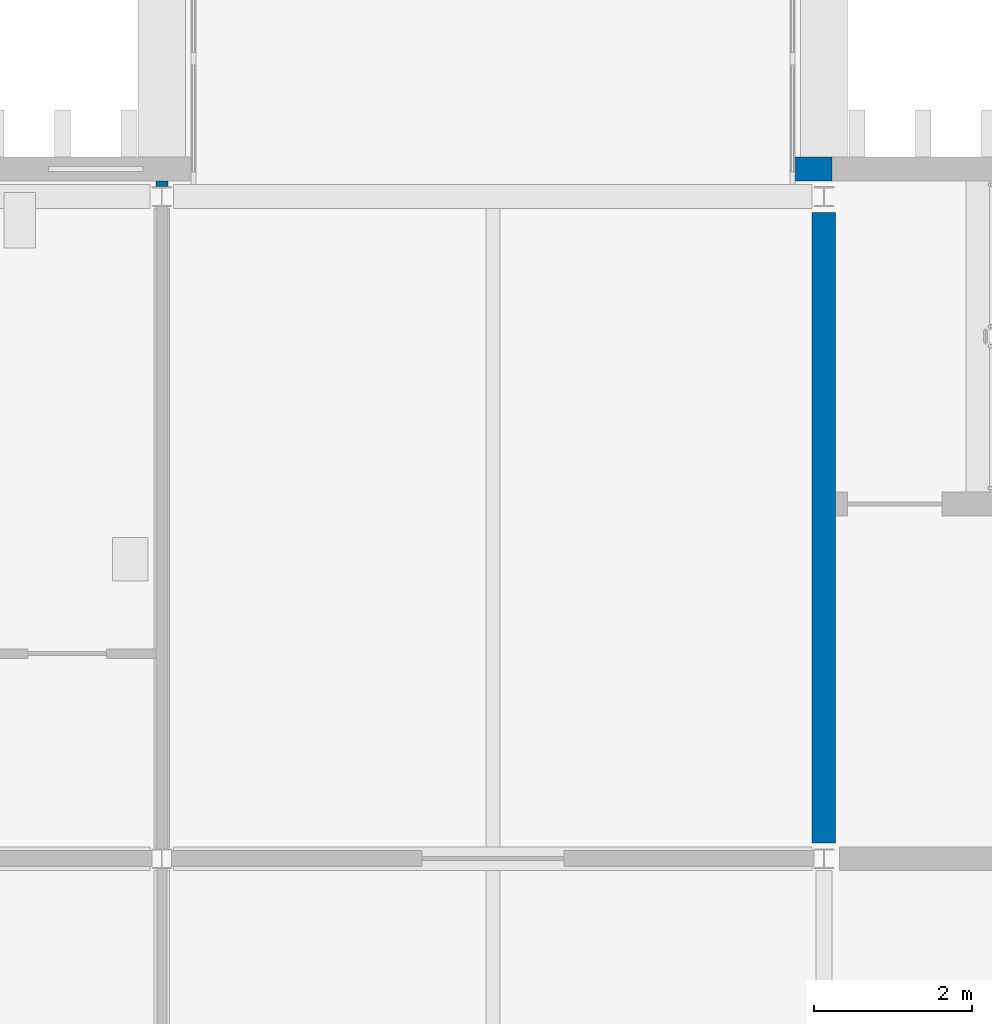
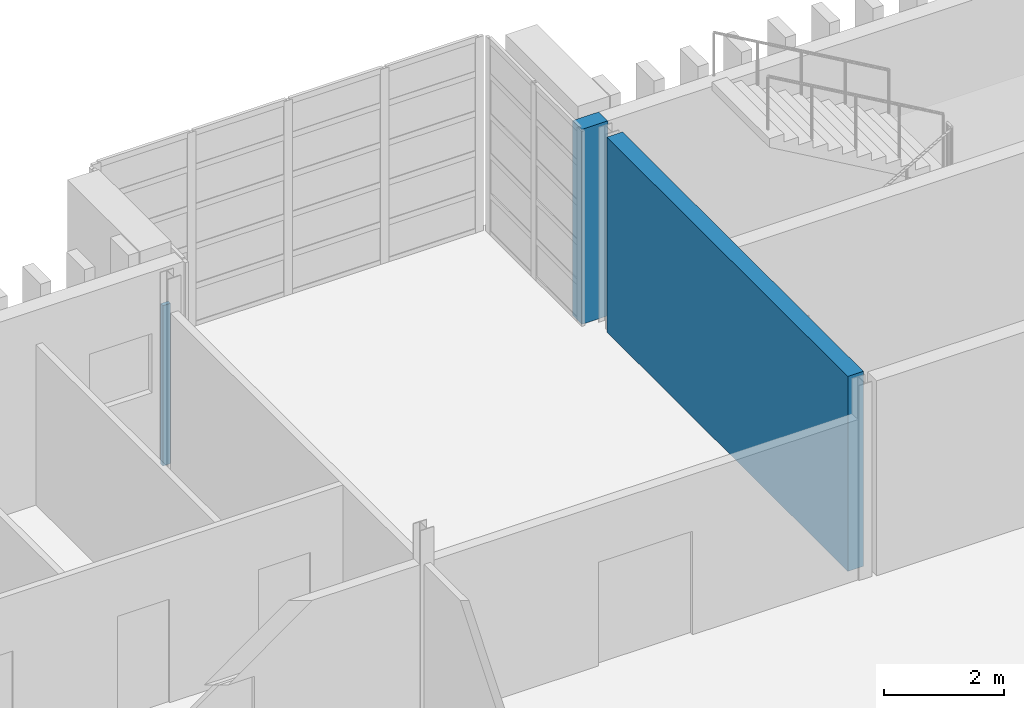
# One storey, part 61 of 88: 3 walls.
"""IFC4 building model written with IfcOpenShell, lengths in metres."""

from ifc_helpers import new_model, si_unit, direction, frame, frame_2d, origin, place, context, subcontext, project, spatial, rectangle, extrude, material, layer, layer_set, type_object, element, save


model = new_model("IFC4")

# Units and contexts
model_context = context("Model", 3, precision=1e-05, world=origin(), true_north=direction((0.0, 1.0)))
body_context = subcontext(model_context, "Body", "Model", "MODEL_VIEW")
ifc_project = project(units=[si_unit("LENGTHUNIT", "METRE"), si_unit("AREAUNIT", "SQUARE_METRE"), si_unit("VOLUMEUNIT", "CUBIC_METRE"), si_unit("PLANEANGLEUNIT", "RADIAN"), si_unit("MASSUNIT", "GRAM", prefix="KILO")], contexts=[model_context])

# Site, building, storey
site_placement = place(None, origin())
site = spatial("IfcSite", under=ifc_project, at=site_placement, CompositionType="ELEMENT")
building_placement = place(site_placement, origin())
building = spatial("IfcBuilding", under=site, at=building_placement, Name="Cresset Court Congress Hotel", CompositionType="ELEMENT")
storey_placement = place(building_placement, frame((0.0, 0.0, 14.39990234375)))
storey = spatial("IfcBuildingStorey", under=building, at=storey_placement, Name="L03", CompositionType="ELEMENT", Elevation=14.39990234375)

# Walls
ifc_material_1 = material(Name="Concrete C50", Category="concrete")
ifc_layer_1 = layer(ifc_material_1, 0.300048828125)
ifc_layer_set_1 = layer_set([ifc_layer_1], Name="Core wall 300 Concrete C50")
wall_type_1 = type_object("IfcWallType", Name="Core wall 300 Concrete C50", PredefinedType="SHEAR", material=ifc_layer_set_1)
wall_1_placement = place(storey_placement, frame((134.39990234375, 17.0, 0.0), z_axis=(0.0, 0.0, 1.0), x_axis=(0.0, 1.0, 0.0)))
element("IfcWall", 1, at=wall_1_placement, inside=storey, type_object=wall_type_1, Name="Core wall ST-B5", PredefinedType="SHEAR", context=body_context, shape_type="SweptSolid", body=[
    extrude(rectangle(XDim=8.0, YDim=0.300048828125, at=frame_2d((4.0, 0.0))), origin(), (0.0, 0.0, 1.0), 3.9501953125),
])
ifc_material_2 = material(Name="Concrete C40", Category="concrete")
ifc_layer_2 = layer(ifc_material_2, 0.300048828125)
ifc_layer_set_2 = layer_set([ifc_layer_2], Name="External wall 300 Concrete C40")
wall_type_2 = type_object("IfcWallType", Name="External wall 300 Concrete C40", PredefinedType="SOLIDWALL", material=ifc_layer_set_2)
wall_2_placement = place(storey_placement, frame((134.0, 25.550048828125, 0.0), z_axis=(0.0, 0.0, 1.0), x_axis=(1.0, 0.0, 0.0)))
element("IfcWall", 2, at=wall_2_placement, inside=storey, type_object=wall_type_2, Name="External wall", PredefinedType="SOLIDWALL", context=body_context, shape_type="SweptSolid", body=[
    extrude(rectangle(XDim=0.5, YDim=0.300048828125, at=frame_2d((0.25, 0.0))), origin(), (0.0, 0.0, 1.0), 3.9501953125),
])
ifc_material_3 = material(Name="Gypsum board on steel studs", Category="steel")
ifc_layer_3 = layer(ifc_material_3, 0.14990234375)
ifc_layer_set_3 = layer_set([ifc_layer_3], Name="Partition 150")
wall_type_3 = type_object("IfcWallType", Name="Partition 150", PredefinedType="PARTITIONING", material=ifc_layer_set_3)
wall_3_placement = place(storey_placement, frame((126.0, 25.324951171875, 0.0), z_axis=(0.0, 0.0, 1.0), x_axis=(0.0, 1.0, 0.0)))
element("IfcWall", 3, at=wall_3_placement, inside=storey, type_object=wall_type_3, Name="Partition", PredefinedType="PARTITIONING", context=body_context, shape_type="SweptSolid", body=[
    extrude(rectangle(XDim=0.074951171875, YDim=0.14990234375, at=frame_2d((0.03759765625, 0.0))), origin(), (0.0, 0.0, 1.0), 3.25),
])

save(model, "model.ifc")
